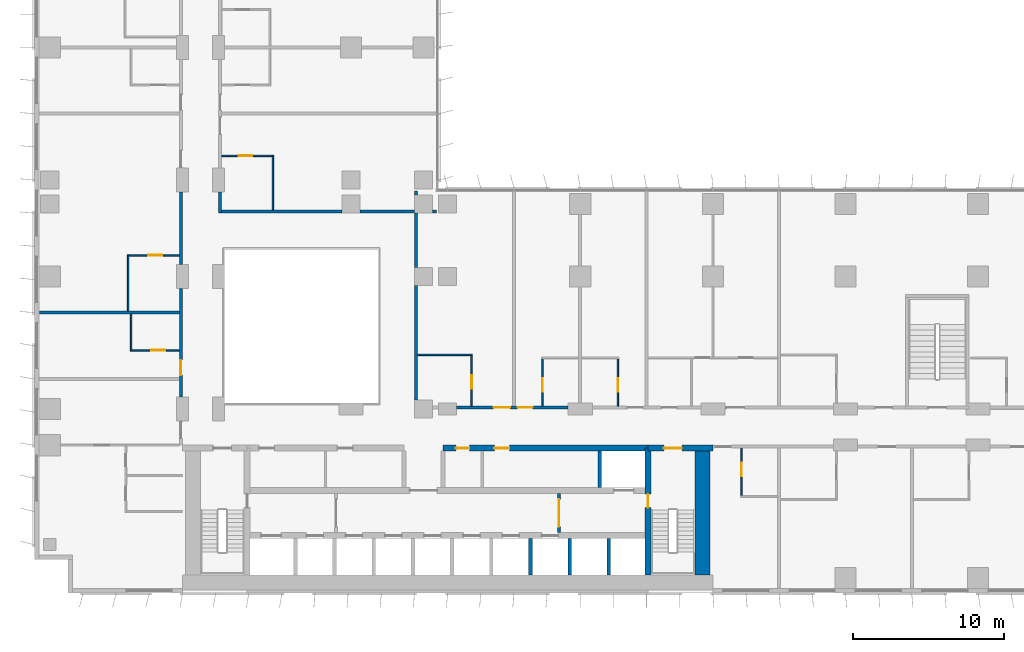
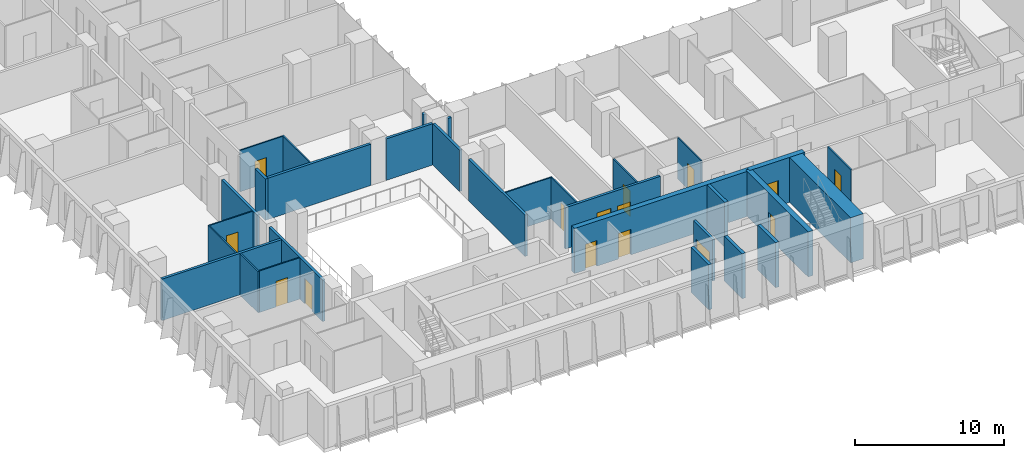
# One storey, part 13 of 24: 31 walls, 15 doors, 15 openings.
"""IFC4 building model written with IfcOpenShell, lengths in metres."""

from ifc_helpers import new_model, si_unit, direction, frame, frame_2d, origin, place, context, subcontext, project, spatial, rectangle, extrude, material, layer, layer_set, type_object, element, fill, save


model = new_model("IFC4")

# Units and contexts
model_context = context("Model", 3, precision=1e-05, world=origin(), true_north=direction((0.0, 1.0)))
body_context = subcontext(model_context, "Body", "Model", "MODEL_VIEW")
ifc_project = project(units=[si_unit("LENGTHUNIT", "METRE"), si_unit("AREAUNIT", "SQUARE_METRE"), si_unit("VOLUMEUNIT", "CUBIC_METRE"), si_unit("PLANEANGLEUNIT", "RADIAN"), si_unit("MASSUNIT", "GRAM", prefix="KILO")], contexts=[model_context])

# Site, building, storey
site_placement = place(None, origin())
site = spatial("IfcSite", under=ifc_project, at=site_placement, CompositionType="ELEMENT")
building_placement = place(site_placement, origin())
building = spatial("IfcBuilding", under=site, at=building_placement, Name="Kemantara Hotel Tower", CompositionType="ELEMENT")
storey_placement = place(building_placement, frame((0.0, 0.0, 56.199951171875)))
storey = spatial("IfcBuildingStorey", under=building, at=storey_placement, Name="L12", CompositionType="ELEMENT", Elevation=56.199951171875)

# Walls
ifc_material_1 = material(Name="Concrete fc 70 MPa", Category="concrete")
ifc_layer_1 = layer(ifc_material_1, 1.0)
ifc_layer_set_1 = layer_set([ifc_layer_1], Name="Concrete fc 70 MPa")
wall_type_1 = type_object("IfcWallType", Name="CORE WALL 1000 FC70", PredefinedType="SHEAR", material=ifc_layer_set_1)
wall_1_placement = place(storey_placement, frame((44.300048828125, 1.199951171875, 0.0), z_axis=(0.0, 0.0, 1.0), x_axis=(0.0, 1.0, 0.0)))
element("IfcWall", 1, at=wall_1_placement, inside=storey, type_object=wall_type_1, Name="CORE WALL CW-E", PredefinedType="SHEAR", context=body_context, shape_type="SweptSolid", body=[
    extrude(rectangle(XDim=8.60009765625, YDim=1.0, at=frame_2d((4.300048828125, 0.0))), origin(), (0.0, 0.0, 1.0), 3.699951171875),
])
ifc_layer_2 = layer(ifc_material_1, 0.25)
ifc_layer_set_2 = layer_set([ifc_layer_2], Name="Concrete fc 70 MPa")
wall_type_2 = type_object("IfcWallType", Name="CORE WALL 250 FC70", PredefinedType="SHEAR", material=ifc_layer_set_2)
for number, where, z_axis, x_axis, name in (
    (2, (32.89990234375, 1.199951171875, 0.0), (0.0, 0.0, 1.0), (0.0, 1.0, 0.0), "CORE WALL CW-DS32.9"),
    (3, (35.5, 1.199951171875, 0.0), (0.0, 0.0, 1.0), (0.0, 1.0, 0.0), "CORE WALL CW-DS35.5"),
    (4, (38.10009765625, 1.199951171875, 0.0), (0.0, 0.0, 1.0), (0.0, 1.0, 0.0), "CORE WALL CW-DS38.1"),
):
    element("IfcWall", number, at=place(storey_placement, frame(where, z_axis=z_axis, x_axis=x_axis)), inside=storey, type_object=wall_type_2, Name=name, PredefinedType="SHEAR", context=body_context, shape_type="SweptSolid", body=[
        extrude(rectangle(XDim=2.400146484375, YDim=0.25, at=frame_2d((1.2001953125, 0.0))), origin(), (0.0, 0.0, 1.0), 3.699951171875),
    ])
wall_2_placement = place(storey_placement, frame((37.5, 7.0, 0.0), z_axis=(0.0, 0.0, 1.0), x_axis=(0.0, 1.0, 0.0)))
element("IfcWall", 5, at=wall_2_placement, inside=storey, type_object=wall_type_2, Name="CORE WALL CW-DN37.5", PredefinedType="SHEAR", context=body_context, shape_type="SweptSolid", body=[
    extrude(rectangle(XDim=2.39990234375, YDim=0.25, at=frame_2d((1.199951171875, 0.0))), origin(), (0.0, 0.0, 1.0), 3.699951171875),
])

# Wall, opening, door
ifc_layer_3 = layer(ifc_material_1, 0.39990234375)
ifc_layer_set_3 = layer_set([ifc_layer_3], Name="Concrete fc 70 MPa")
wall_type_3 = type_object("IfcWallType", Name="CORE WALL 400 FC70", PredefinedType="SHEAR", material=ifc_layer_set_3)
wall_3_placement = place(storey_placement, frame((40.699951171875, 9.60009765625, 0.0), z_axis=(0.0, 0.0, 1.0), x_axis=(1.0, 0.0, 0.0)))
wall_3 = element("IfcWall", 6, at=wall_3_placement, inside=storey, type_object=wall_type_3, Name="CORE WALL CW-N2", PredefinedType="SHEAR", context=body_context, shape_type="SweptSolid", body=[
    extrude(rectangle(XDim=4.300048828125, YDim=0.39990234375, at=frame_2d((2.14990234375, 0.0))), origin(), (0.0, 0.0, 1.0), 3.699951171875),
])
opening_1_placement = place(wall_3_placement, frame((1.050048828125, 0.0, 0.0)))
opening_1 = element("IfcOpeningElement", 7, at=opening_1_placement, cuts=wall_3, Name="Opening C10-ST2-C", PredefinedType="OPENING", context=body_context, shape_type="SweptSolid", body=[
    extrude(rectangle(XDim=1.199951171875, YDim=2.10009765625, at=frame_2d((0.60009765625, 1.050048828125))), frame((0.0, 0.2099609375, 0.0), z_axis=(0.0, -1.0, 0.0), x_axis=(1.0, 0.0, 0.0)), (0.0, 0.0, 1.0), 0.419921875),
])
ifc_material_2 = material(Name="Steel fire door", Category="steel")
door_type_1 = type_object("IfcDoorType", Name="Fire door FD90 1200 x 2100", OperationType="NOTDEFINED", PredefinedType="DOOR", material=ifc_material_2)
door_1_placement = place(opening_1_placement, frame((1.199951171875, 0.0, 0.0), z_axis=(0.0, 0.0, 1.0), x_axis=(-1.0, 0.0, 0.0)))
door_1 = element("IfcDoor", 8, at=door_1_placement, inside=storey, type_object=door_type_1, Name="Stair ST2 door to corridor", OperationType="SINGLE_SWING_RIGHT", OverallHeight=2.10009765625, OverallWidth=1.199951171875, PredefinedType="DOOR", context=body_context, shape_type="SweptSolid", body=[
    extrude(rectangle(XDim=1.199951171875, YDim=2.10009765625, at=frame_2d((0.60009765625, 1.050048828125))), frame((0.0, 0.02490234375, 0.0), z_axis=(0.0, -1.0, 0.0), x_axis=(1.0, 0.0, 0.0)), (0.0, 0.0, 1.0), 0.050048828125),
])
fill(opening_1, door_1)

# Wall, openings, doors
wall_4_placement = place(storey_placement, frame((27.10009765625, 9.60009765625, 0.0), z_axis=(0.0, 0.0, 1.0), x_axis=(1.0, 0.0, 0.0)))
wall_4 = element("IfcWall", 9, at=wall_4_placement, inside=storey, type_object=wall_type_3, Name="CORE WALL CW-NN2", PredefinedType="SHEAR", context=body_context, shape_type="SweptSolid", body=[
    extrude(rectangle(XDim=13.599853515625, YDim=0.39990234375, at=frame_2d((6.7998046875, 0.0))), origin(), (0.0, 0.0, 1.0), 3.699951171875),
])
opening_2_placement = place(wall_4_placement, frame((0.85009765625, 0.0, 0.0)))
opening_2 = element("IfcOpeningElement", 10, at=opening_2_placement, cuts=wall_4, Name="Opening C10-R-NE1", PredefinedType="OPENING", context=body_context, shape_type="SweptSolid", body=[
    extrude(rectangle(XDim=0.89990234375, YDim=2.10009765625, at=frame_2d((0.449951171875, 1.050048828125))), frame((0.0, 0.2099609375, 0.0), z_axis=(0.0, -1.0, 0.0), x_axis=(1.0, 0.0, 0.0)), (0.0, 0.0, 1.0), 0.419921875),
])
opening_3_placement = place(wall_4_placement, frame((3.39990234375, 0.0, 0.0)))
opening_3 = element("IfcOpeningElement", 11, at=opening_3_placement, cuts=wall_4, Name="Opening C10-R-NE2", PredefinedType="OPENING", context=body_context, shape_type="SweptSolid", body=[
    extrude(rectangle(XDim=1.0, YDim=2.10009765625, at=frame_2d((0.5, 1.050048828125))), frame((0.0, 0.2099609375, 0.0), z_axis=(0.0, -1.0, 0.0), x_axis=(1.0, 0.0, 0.0)), (0.0, 0.0, 1.0), 0.419921875),
])
door_type_2 = type_object("IfcDoorType", Name="Fire door FD30S 1000 x 2100", OperationType="NOTDEFINED", PredefinedType="DOOR", material=ifc_material_2)
door_2_placement = place(opening_3_placement, frame((1.0, 0.0, 0.0), z_axis=(0.0, 0.0, 1.0), x_axis=(-1.0, 0.0, 0.0)))
door_2 = element("IfcDoor", 12, at=door_2_placement, inside=storey, type_object=door_type_2, Name="Guest Pantry door", OperationType="SINGLE_SWING_RIGHT", OverallHeight=2.10009765625, OverallWidth=1.0, PredefinedType="DOOR", context=body_context, shape_type="SweptSolid", body=[
    extrude(rectangle(XDim=1.0, YDim=2.10009765625, at=frame_2d((0.5, 1.050048828125))), frame((0.0, 0.02490234375, 0.0), z_axis=(0.0, -1.0, 0.0), x_axis=(1.0, 0.0, 0.0)), (0.0, 0.0, 1.0), 0.050048828125),
])
fill(opening_3, door_2)
door_type_3 = type_object("IfcDoorType", Name="Fire door FD60 900 x 2100", OperationType="NOTDEFINED", PredefinedType="DOOR", material=ifc_material_2)
door_3_placement = place(opening_2_placement, frame((0.89990234375, 0.0, 0.0), z_axis=(0.0, 0.0, 1.0), x_axis=(-1.0, 0.0, 0.0)))
door_3 = element("IfcDoor", 13, at=door_3_placement, inside=storey, type_object=door_type_3, Name="Electrical Riser Room door", OperationType="SINGLE_SWING_RIGHT", OverallHeight=2.10009765625, OverallWidth=0.89990234375, PredefinedType="DOOR", context=body_context, shape_type="SweptSolid", body=[
    extrude(rectangle(XDim=0.89990234375, YDim=2.10009765625, at=frame_2d((0.449951171875, 1.050048828125))), frame((0.0, 0.02490234375, 0.0), z_axis=(0.0, -1.0, 0.0), x_axis=(1.0, 0.0, 0.0)), (0.0, 0.0, 1.0), 0.050048828125),
])
fill(opening_2, door_3)

# Wall, opening, door
wall_5_placement = place(storey_placement, frame((40.699951171875, 1.199951171875, 0.0), z_axis=(0.0, 0.0, 1.0), x_axis=(0.0, 1.0, 0.0)))
wall_5 = element("IfcWall", 14, at=wall_5_placement, inside=storey, type_object=wall_type_3, Name="CORE WALL CW-ST2W", PredefinedType="SHEAR", context=body_context, shape_type="SweptSolid", body=[
    extrude(rectangle(XDim=8.400146484375, YDim=0.39990234375, at=frame_2d((4.2001953125, 0.0))), origin(), (0.0, 0.0, 1.0), 3.699951171875),
])
opening_4_placement = place(wall_5_placement, frame((4.449951171875, 0.0, 0.0)))
opening_4 = element("IfcOpeningElement", 15, at=opening_4_placement, cuts=wall_5, Name="Opening C10-ST2-F", PredefinedType="OPENING", context=body_context, shape_type="SweptSolid", body=[
    extrude(rectangle(XDim=0.89990234375, YDim=2.10009765625, at=frame_2d((0.449951171875, 1.050048828125))), frame((0.0, 0.2099609375, 0.0), z_axis=(0.0, -1.0, 0.0), x_axis=(1.0, 0.0, 0.0)), (0.0, 0.0, 1.0), 0.419921875),
])
door_type_4 = type_object("IfcDoorType", Name="Fire door FD90 900 x 2100", OperationType="NOTDEFINED", PredefinedType="DOOR", material=ifc_material_2)
door_4_placement = place(opening_4_placement, frame((0.89990234375, 0.0, 0.0), z_axis=(0.0, 0.0, 1.0), x_axis=(-1.0, 0.0, 0.0)))
door_4 = element("IfcDoor", 16, at=door_4_placement, inside=storey, type_object=door_type_4, Name="Stair ST2 door to firefighting lobby", OperationType="SINGLE_SWING_LEFT", OverallHeight=2.10009765625, OverallWidth=0.89990234375, PredefinedType="DOOR", context=body_context, shape_type="SweptSolid", body=[
    extrude(rectangle(XDim=0.89990234375, YDim=2.10009765625, at=frame_2d((0.449951171875, 1.050048828125))), frame((0.0, 0.02490234375, 0.0), z_axis=(0.0, -1.0, 0.0), x_axis=(1.0, 0.0, 0.0)), (0.0, 0.0, 1.0), 0.050048828125),
])
fill(opening_4, door_4)

# Wall, openings, doors
ifc_material_3 = material(Name="Gypsum board partition, steel studs and mineral wool, 200 mm", Category="steel")
ifc_layer_4 = layer(ifc_material_3, 0.199951171875)
ifc_layer_set_4 = layer_set([ifc_layer_4], Name="Gypsum board partition, steel studs and mineral wool, 200 mm")
wall_type_4 = type_object("IfcWallType", Name="CORRIDOR WALL 200", PredefinedType="PARTITIONING", material=ifc_layer_set_4)
wall_6_placement = place(storey_placement, frame((28.0, 12.300048828125, 0.0), z_axis=(0.0, 0.0, 1.0), x_axis=(1.0, 0.0, 0.0)))
wall_6 = element("IfcWall", 17, at=wall_6_placement, inside=storey, type_object=wall_type_4, Name="CORRIDOR WALL 200 012", PredefinedType="PARTITIONING", context=body_context, shape_type="SweptSolid", body=[
    extrude(rectangle(XDim=7.39990234375, YDim=0.199951171875, at=frame_2d((3.699951171875, 0.0))), origin(), (0.0, 0.0, 1.0), 3.400146484375),
])
opening_5_placement = place(wall_6_placement, frame((2.449951171875, 0.0, 0.0)))
opening_5 = element("IfcOpeningElement", 18, at=opening_5_placement, cuts=wall_6, Name="Opening F04-011", PredefinedType="OPENING", context=body_context, shape_type="SweptSolid", body=[
    extrude(rectangle(XDim=1.10009765625, YDim=2.10009765625, at=frame_2d((0.550048828125, 1.050048828125))), frame((0.0, 0.10986328125, 0.0), z_axis=(0.0, -1.0, 0.0), x_axis=(1.0, 0.0, 0.0)), (0.0, 0.0, 1.0), 0.219970703125),
])
opening_6_placement = place(wall_6_placement, frame((4.0498046875, 0.0, 0.0)))
opening_6 = element("IfcOpeningElement", 19, at=opening_6_placement, cuts=wall_6, Name="Opening F04-013", PredefinedType="OPENING", context=body_context, shape_type="SweptSolid", body=[
    extrude(rectangle(XDim=1.0, YDim=2.10009765625, at=frame_2d((0.5, 1.050048828125))), frame((0.0, 0.10986328125, 0.0), z_axis=(0.0, -1.0, 0.0), x_axis=(1.0, 0.0, 0.0)), (0.0, 0.0, 1.0), 0.219970703125),
])
ifc_material_4 = material(Name="Hardwood veneer door leaf with steel frame", Category="steel")
door_type_5 = type_object("IfcDoorType", Name="GUEST ROOM DOOR 1000 X 2100 FD30S", OperationType="NOTDEFINED", PredefinedType="DOOR", material=ifc_material_4)
door_5_placement = place(opening_6_placement, origin())
door_5 = element("IfcDoor", 20, at=door_5_placement, inside=storey, type_object=door_type_5, Name="GUEST ROOM DOOR F04-013", OperationType="SINGLE_SWING_LEFT", OverallHeight=2.10009765625, OverallWidth=1.0, PredefinedType="DOOR", context=body_context, shape_type="SweptSolid", body=[
    extrude(rectangle(XDim=1.0, YDim=2.10009765625, at=frame_2d((0.5, 1.050048828125))), frame((0.0, 0.02490234375, 0.0), z_axis=(0.0, -1.0, 0.0), x_axis=(1.0, 0.0, 0.0)), (0.0, 0.0, 1.0), 0.050048828125),
])
fill(opening_6, door_5)
door_type_6 = type_object("IfcDoorType", Name="SUITE ENTRANCE DOOR 1100 X 2100 FD30S", OperationType="NOTDEFINED", PredefinedType="DOOR", material=ifc_material_4)
door_6_placement = place(opening_5_placement, origin())
door_6 = element("IfcDoor", 21, at=door_6_placement, inside=storey, type_object=door_type_6, Name="SUITE ENTRANCE DOOR F04-011", OperationType="SINGLE_SWING_RIGHT", OverallHeight=2.10009765625, OverallWidth=1.10009765625, PredefinedType="DOOR", context=body_context, shape_type="SweptSolid", body=[
    extrude(rectangle(XDim=1.10009765625, YDim=2.10009765625, at=frame_2d((0.550048828125, 1.050048828125))), frame((0.0, 0.02490234375, 0.0), z_axis=(0.0, -1.0, 0.0), x_axis=(1.0, 0.0, 0.0)), (0.0, 0.0, 1.0), 0.050048828125),
])
fill(opening_5, door_6)

# Wall, opening, door
wall_7_placement = place(storey_placement, frame((9.699951171875, 13.0, 0.0), z_axis=(0.0, 0.0, 1.0), x_axis=(0.0, 1.0, 0.0)))
wall_7 = element("IfcWall", 22, at=wall_7_placement, inside=storey, type_object=wall_type_4, Name="CORRIDOR WALL 200 026", PredefinedType="PARTITIONING", context=body_context, shape_type="SweptSolid", body=[
    extrude(rectangle(XDim=7.199951171875, YDim=0.199951171875, at=frame_2d((3.60009765625, 0.0))), origin(), (0.0, 0.0, 1.0), 3.400146484375),
])
opening_7_placement = place(wall_7_placement, frame((1.449951171875, 0.0, 0.0)))
opening_7 = element("IfcOpeningElement", 23, at=opening_7_placement, cuts=wall_7, Name="Opening F04-033", PredefinedType="OPENING", context=body_context, shape_type="SweptSolid", body=[
    extrude(rectangle(XDim=1.0, YDim=2.10009765625, at=frame_2d((0.5, 1.050048828125))), frame((0.0, 0.10986328125, 0.0), z_axis=(0.0, -1.0, 0.0), x_axis=(1.0, 0.0, 0.0)), (0.0, 0.0, 1.0), 0.219970703125),
])
door_7_placement = place(opening_7_placement, origin())
door_7 = element("IfcDoor", 24, at=door_7_placement, inside=storey, type_object=door_type_5, Name="GUEST ROOM DOOR F04-033", OperationType="SINGLE_SWING_LEFT", OverallHeight=2.10009765625, OverallWidth=1.0, PredefinedType="DOOR", context=body_context, shape_type="SweptSolid", body=[
    extrude(rectangle(XDim=1.0, YDim=2.10009765625, at=frame_2d((0.5, 1.050048828125))), frame((0.0, 0.02490234375, 0.0), z_axis=(0.0, -1.0, 0.0), x_axis=(1.0, 0.0, 0.0)), (0.0, 0.0, 1.0), 0.050048828125),
])
fill(opening_7, door_7)

# Walls
wall_8_placement = place(storey_placement, frame((9.699951171875, 21.800048828125, 0.0), z_axis=(0.0, 0.0, 1.0), x_axis=(0.0, 1.0, 0.0)))
element("IfcWall", 25, at=wall_8_placement, inside=storey, type_object=wall_type_4, Name="CORRIDOR WALL 200 027", PredefinedType="PARTITIONING", context=body_context, shape_type="SweptSolid", body=[
    extrude(rectangle(XDim=4.7998046875, YDim=0.199951171875, at=frame_2d((2.39990234375, 0.0))), origin(), (0.0, 0.0, 1.0), 3.400146484375),
])
wall_9_placement = place(storey_placement, frame((12.300048828125, 25.199951171875, 0.0), z_axis=(0.0, 0.0, 1.0), x_axis=(0.0, 1.0, 0.0)))
element("IfcWall", 26, at=wall_9_placement, inside=storey, type_object=wall_type_4, Name="CORRIDOR WALL 200 047", PredefinedType="PARTITIONING", context=body_context, shape_type="SweptSolid", body=[
    extrude(rectangle(XDim=1.39990234375, YDim=0.199951171875, at=frame_2d((0.699951171875, 0.0))), origin(), (0.0, 0.0, 1.0), 3.400146484375),
])
ifc_layer_5 = layer(ifc_material_3, 0.199951171875)
ifc_layer_set_5 = layer_set([ifc_layer_5], Name="Gypsum board partition, steel studs and mineral wool, 200 mm")
wall_type_5 = type_object("IfcWallType", Name="GUEST ROOM PARTY WALL 200", PredefinedType="PARTITIONING", material=ifc_layer_set_5)
wall_10_placement = place(storey_placement, frame((25.300048828125, 12.800048828125, 0.0), z_axis=(0.0, 0.0, 1.0), x_axis=(0.0, 1.0, 0.0)))
element("IfcWall", 27, at=wall_10_placement, inside=storey, type_object=wall_type_5, Name="GUEST ROOM PARTY WALL 200 018", PredefinedType="PARTITIONING", context=body_context, shape_type="SweptSolid", body=[
    extrude(rectangle(XDim=7.599853515625, YDim=0.199951171875, at=frame_2d((3.7998046875, 0.0))), origin(), (0.0, 0.0, 1.0), 3.400146484375),
])
wall_11_placement = place(storey_placement, frame((25.300048828125, 21.60009765625, 0.0), z_axis=(0.0, 0.0, 1.0), x_axis=(0.0, 1.0, 0.0)))
element("IfcWall", 28, at=wall_11_placement, inside=storey, type_object=wall_type_5, Name="GUEST ROOM PARTY WALL 200 019", PredefinedType="PARTITIONING", context=body_context, shape_type="SweptSolid", body=[
    extrude(rectangle(XDim=3.599853515625, YDim=0.199951171875, at=frame_2d((1.7998046875, 0.0))), origin(), (0.0, 0.0, 1.0), 3.400146484375),
])
wall_12_placement = place(storey_placement, frame((25.300048828125, 26.400146484375, 0.0), z_axis=(0.0, 0.0, 1.0), x_axis=(0.0, 1.0, 0.0)))
element("IfcWall", 29, at=wall_12_placement, inside=storey, type_object=wall_type_5, Name="GUEST ROOM PARTY WALL 200 020", PredefinedType="PARTITIONING", context=body_context, shape_type="SweptSolid", body=[
    extrude(rectangle(XDim=0.269775390625, YDim=0.199951171875, at=frame_2d((0.134765625, 0.0))), origin(), (0.0, 0.0, 1.0), 3.400146484375),
])
wall_13_placement = place(storey_placement, frame((0.31005859375, 18.60009765625, 0.0), z_axis=(0.0, 0.0, 1.0), x_axis=(1.0, 0.0, 0.0)))
element("IfcWall", 30, at=wall_13_placement, inside=storey, type_object=wall_type_5, Name="GUEST ROOM PARTY WALL 200 035", PredefinedType="PARTITIONING", context=body_context, shape_type="SweptSolid", body=[
    extrude(rectangle(XDim=9.2900390625, YDim=0.199951171875, at=frame_2d((4.64501953125, 0.0))), origin(), (0.0, 0.0, 1.0), 3.400146484375),
])
wall_14_placement = place(storey_placement, frame((12.39990234375, 25.300048828125, 0.0), z_axis=(0.0, 0.0, 1.0), x_axis=(1.0, 0.0, 0.0)))
element("IfcWall", 31, at=wall_14_placement, inside=storey, type_object=wall_type_5, Name="GUEST ROOM PARTY WALL 200 054", PredefinedType="PARTITIONING", context=body_context, shape_type="SweptSolid", body=[
    extrude(rectangle(XDim=8.0, YDim=0.199951171875, at=frame_2d((4.0, 0.0))), origin(), (0.0, 0.0, 1.0), 3.400146484375),
])
wall_15_placement = place(storey_placement, frame((21.60009765625, 25.300048828125, 0.0), z_axis=(0.0, 0.0, 1.0), x_axis=(1.0, 0.0, 0.0)))
element("IfcWall", 32, at=wall_15_placement, inside=storey, type_object=wall_type_5, Name="GUEST ROOM PARTY WALL 200 055", PredefinedType="PARTITIONING", context=body_context, shape_type="SweptSolid", body=[
    extrude(rectangle(XDim=3.599853515625, YDim=0.199951171875, at=frame_2d((1.7998046875, 0.0))), origin(), (0.0, 0.0, 1.0), 3.400146484375),
])
wall_16_placement = place(storey_placement, frame((26.400146484375, 25.300048828125, 0.0), z_axis=(0.0, 0.0, 1.0), x_axis=(1.0, 0.0, 0.0)))
element("IfcWall", 33, at=wall_16_placement, inside=storey, type_object=wall_type_5, Name="GUEST ROOM PARTY WALL 200 056", PredefinedType="PARTITIONING", context=body_context, shape_type="SweptSolid", body=[
    extrude(rectangle(XDim=0.269775390625, YDim=0.199951171875, at=frame_2d((0.134765625, 0.0))), origin(), (0.0, 0.0, 1.0), 3.400146484375),
])

# Wall, opening, door
ifc_material_5 = material(Name="Gypsum board shaft wall")
ifc_layer_6 = layer(ifc_material_5, 0.199951171875)
ifc_layer_set_6 = layer_set([ifc_layer_6], Name="Gypsum board shaft wall")
wall_type_6 = type_object("IfcWallType", Name="Gypsum board shaft wall 200 mm", PredefinedType="PARTITIONING", material=ifc_layer_set_6)
wall_17_placement = place(storey_placement, frame((34.800048828125, 4.0, 0.0), z_axis=(0.0, 0.0, 1.0), x_axis=(0.0, 1.0, 0.0)))
wall_17 = element("IfcWall", 34, at=wall_17_placement, inside=storey, type_object=wall_type_6, Name="Firefighting lobby partition east", PredefinedType="PARTITIONING", context=body_context, shape_type="SweptSolid", body=[
    extrude(rectangle(XDim=2.60009765625, YDim=0.199951171875, at=frame_2d((1.300048828125, 0.0))), origin(), (0.0, 0.0, 1.0), 3.400146484375),
])
opening_8_placement = place(wall_17_placement, frame((0.39990234375, 0.0, 0.0)))
opening_8 = element("IfcOpeningElement", 35, at=opening_8_placement, cuts=wall_17, Name="Opening C10-FFE", PredefinedType="OPENING", context=body_context, shape_type="SweptSolid", body=[
    extrude(rectangle(XDim=1.800048828125, YDim=2.10009765625, at=frame_2d((0.89990234375, 1.050048828125))), frame((0.0, 0.10986328125, 0.0), z_axis=(0.0, -1.0, 0.0), x_axis=(1.0, 0.0, 0.0)), (0.0, 0.0, 1.0), 0.219970703125),
])
door_type_7 = type_object("IfcDoorType", Name="Fire door pair FD60 1800 x 2100", OperationType="DOUBLE_DOOR_SINGLE_SWING", PredefinedType="DOOR", material=ifc_material_2)
door_8_placement = place(opening_8_placement, frame((1.800048828125, 0.0, 0.0), z_axis=(0.0, 0.0, 1.0), x_axis=(-1.0, 0.0, 0.0)))
door_8 = element("IfcDoor", 36, at=door_8_placement, inside=storey, type_object=door_type_7, Name="Firefighting lobby door east", OperationType="DOUBLE_DOOR_SINGLE_SWING", OverallHeight=2.10009765625, OverallWidth=1.800048828125, PredefinedType="DOOR", context=body_context, shape_type="SweptSolid", body=[
    extrude(rectangle(XDim=1.800048828125, YDim=2.10009765625, at=frame_2d((0.89990234375, 1.050048828125))), frame((0.0, 0.02490234375, 0.0), z_axis=(0.0, -1.0, 0.0), x_axis=(1.0, 0.0, 0.0)), (0.0, 0.0, 1.0), 0.050048828125),
])
fill(opening_8, door_8)

ifc_material_6 = material(Name="Gypsum board partition on steel studs, 100 mm", Category="steel")
ifc_layer_7 = layer(ifc_material_6, 0.10009765625)
ifc_layer_set_7 = layer_set([ifc_layer_7], Name="Gypsum board partition on steel studs, 100 mm")
wall_type_7 = type_object("IfcWallType", Name="ROOM PARTITION 100", PredefinedType="PARTITIONING", material=ifc_layer_set_7)
wall_18_placement = place(storey_placement, frame((46.89990234375, 9.60009765625, 0.0), z_axis=(0.0, 0.0, 1.0), x_axis=(0.0, -1.0, 0.0)))
wall_18 = element("IfcWall", 37, at=wall_18_placement, inside=storey, type_object=wall_type_7, Name="ROOM PARTITION 100 067", PredefinedType="PARTITIONING", context=body_context, shape_type="SweptSolid", body=[
    extrude(rectangle(XDim=3.150146484375, YDim=0.10009765625, at=frame_2d((1.5751953125, 0.0))), origin(), (0.0, 0.0, 1.0), 3.400146484375),
])
opening_9_placement = place(wall_18_placement, frame((0.949951171875, 0.0, 0.0)))
opening_9 = element("IfcOpeningElement", 38, at=opening_9_placement, cuts=wall_18, Name="Opening F04-002", PredefinedType="OPENING", context=body_context, shape_type="SweptSolid", body=[
    extrude(rectangle(XDim=0.89990234375, YDim=2.10009765625, at=frame_2d((0.449951171875, 1.050048828125))), frame((0.0, 0.06005859375, 0.0), z_axis=(0.0, -1.0, 0.0), x_axis=(1.0, 0.0, 0.0)), (0.0, 0.0, 1.0), 0.1201171875),
])
door_type_8 = type_object("IfcDoorType", Name="BATHROOM DOOR 900 X 2100", OperationType="NOTDEFINED", PredefinedType="DOOR", material=ifc_material_4)
door_9_placement = place(opening_9_placement, origin())
door_9 = element("IfcDoor", 39, at=door_9_placement, inside=storey, type_object=door_type_8, Name="BATHROOM DOOR F04-002", OperationType="SINGLE_SWING_LEFT", OverallHeight=2.10009765625, OverallWidth=0.89990234375, PredefinedType="DOOR", context=body_context, shape_type="SweptSolid", body=[
    extrude(rectangle(XDim=0.89990234375, YDim=2.10009765625, at=frame_2d((0.449951171875, 1.050048828125))), frame((0.0, 0.02490234375, 0.0), z_axis=(0.0, -1.0, 0.0), x_axis=(1.0, 0.0, 0.0)), (0.0, 0.0, 1.0), 0.050048828125),
])
fill(opening_9, door_9)

# Wall
wall_19_placement = place(storey_placement, frame((25.39990234375, 15.800048828125, 0.0), z_axis=(0.0, 0.0, 1.0), x_axis=(1.0, 0.0, 0.0)))
element("IfcWall", 40, at=wall_19_placement, inside=storey, type_object=wall_type_7, Name="ROOM PARTITION 100 077", PredefinedType="PARTITIONING", context=body_context, shape_type="SweptSolid", body=[
    extrude(rectangle(XDim=3.650146484375, YDim=0.10009765625, at=frame_2d((1.8251953125, 0.0))), origin(), (0.0, 0.0, 1.0), 3.400146484375),
])

# Wall, opening, door
wall_20_placement = place(storey_placement, frame((29.0, 12.39990234375, 0.0), z_axis=(0.0, 0.0, 1.0), x_axis=(0.0, 1.0, 0.0)))
wall_20 = element("IfcWall", 41, at=wall_20_placement, inside=storey, type_object=wall_type_7, Name="ROOM PARTITION 100 079", PredefinedType="PARTITIONING", context=body_context, shape_type="SweptSolid", body=[
    extrude(rectangle(XDim=3.35009765625, YDim=0.10009765625, at=frame_2d((1.675048828125, 0.0))), origin(), (0.0, 0.0, 1.0), 3.400146484375),
])
opening_10_placement = place(wall_20_placement, frame((1.14990234375, 0.0, 0.0)))
opening_10 = element("IfcOpeningElement", 42, at=opening_10_placement, cuts=wall_20, Name="Opening F04-012", PredefinedType="OPENING", context=body_context, shape_type="SweptSolid", body=[
    extrude(rectangle(XDim=0.89990234375, YDim=2.10009765625, at=frame_2d((0.449951171875, 1.050048828125))), frame((0.0, 0.06005859375, 0.0), z_axis=(0.0, -1.0, 0.0), x_axis=(1.0, 0.0, 0.0)), (0.0, 0.0, 1.0), 0.1201171875),
])
door_10_placement = place(opening_10_placement, origin())
door_10 = element("IfcDoor", 43, at=door_10_placement, inside=storey, type_object=door_type_8, Name="BATHROOM DOOR F04-012", OperationType="SINGLE_SWING_LEFT", OverallHeight=2.10009765625, OverallWidth=0.89990234375, PredefinedType="DOOR", context=body_context, shape_type="SweptSolid", body=[
    extrude(rectangle(XDim=0.89990234375, YDim=2.10009765625, at=frame_2d((0.449951171875, 1.050048828125))), frame((0.0, 0.02490234375, 0.0), z_axis=(0.0, -1.0, 0.0), x_axis=(1.0, 0.0, 0.0)), (0.0, 0.0, 1.0), 0.050048828125),
])
fill(opening_10, door_10)

wall_21_placement = place(storey_placement, frame((33.699951171875, 15.550048828125, 0.0), z_axis=(0.0, 0.0, 1.0), x_axis=(0.0, -1.0, 0.0)))
wall_21 = element("IfcWall", 44, at=wall_21_placement, inside=storey, type_object=wall_type_7, Name="ROOM PARTITION 100 085", PredefinedType="PARTITIONING", context=body_context, shape_type="SweptSolid", body=[
    extrude(rectangle(XDim=3.150146484375, YDim=0.10009765625, at=frame_2d((1.5751953125, 0.0))), origin(), (0.0, 0.0, 1.0), 3.400146484375),
])
opening_11_placement = place(wall_21_placement, frame((1.300048828125, 0.0, 0.0)))
opening_11 = element("IfcOpeningElement", 45, at=opening_11_placement, cuts=wall_21, Name="Opening F04-014", PredefinedType="OPENING", context=body_context, shape_type="SweptSolid", body=[
    extrude(rectangle(XDim=0.89990234375, YDim=2.10009765625, at=frame_2d((0.449951171875, 1.050048828125))), frame((0.0, 0.06005859375, 0.0), z_axis=(0.0, -1.0, 0.0), x_axis=(1.0, 0.0, 0.0)), (0.0, 0.0, 1.0), 0.1201171875),
])
door_11_placement = place(opening_11_placement, origin())
door_11 = element("IfcDoor", 46, at=door_11_placement, inside=storey, type_object=door_type_8, Name="BATHROOM DOOR F04-014", OperationType="SINGLE_SWING_RIGHT", OverallHeight=2.10009765625, OverallWidth=0.89990234375, PredefinedType="DOOR", context=body_context, shape_type="SweptSolid", body=[
    extrude(rectangle(XDim=0.89990234375, YDim=2.10009765625, at=frame_2d((0.449951171875, 1.050048828125))), frame((0.0, 0.02490234375, 0.0), z_axis=(0.0, -1.0, 0.0), x_axis=(1.0, 0.0, 0.0)), (0.0, 0.0, 1.0), 0.050048828125),
])
fill(opening_11, door_11)

wall_22_placement = place(storey_placement, frame((38.699951171875, 12.39990234375, 0.0), z_axis=(0.0, 0.0, 1.0), x_axis=(0.0, 1.0, 0.0)))
wall_22 = element("IfcWall", 47, at=wall_22_placement, inside=storey, type_object=wall_type_7, Name="ROOM PARTITION 100 086", PredefinedType="PARTITIONING", context=body_context, shape_type="SweptSolid", body=[
    extrude(rectangle(XDim=3.150146484375, YDim=0.10009765625, at=frame_2d((1.5751953125, 0.0))), origin(), (0.0, 0.0, 1.0), 3.400146484375),
])
opening_12_placement = place(wall_22_placement, frame((0.949951171875, 0.0, 0.0)))
opening_12 = element("IfcOpeningElement", 48, at=opening_12_placement, cuts=wall_22, Name="Opening F04-016", PredefinedType="OPENING", context=body_context, shape_type="SweptSolid", body=[
    extrude(rectangle(XDim=0.89990234375, YDim=2.10009765625, at=frame_2d((0.449951171875, 1.050048828125))), frame((0.0, 0.06005859375, 0.0), z_axis=(0.0, -1.0, 0.0), x_axis=(1.0, 0.0, 0.0)), (0.0, 0.0, 1.0), 0.1201171875),
])
door_12_placement = place(opening_12_placement, origin())
door_12 = element("IfcDoor", 49, at=door_12_placement, inside=storey, type_object=door_type_8, Name="BATHROOM DOOR F04-016", OperationType="SINGLE_SWING_LEFT", OverallHeight=2.10009765625, OverallWidth=0.89990234375, PredefinedType="DOOR", context=body_context, shape_type="SweptSolid", body=[
    extrude(rectangle(XDim=0.89990234375, YDim=2.10009765625, at=frame_2d((0.449951171875, 1.050048828125))), frame((0.0, 0.02490234375, 0.0), z_axis=(0.0, -1.0, 0.0), x_axis=(1.0, 0.0, 0.0)), (0.0, 0.0, 1.0), 0.050048828125),
])
fill(opening_12, door_12)

# Wall
wall_23_placement = place(storey_placement, frame((6.39990234375, 16.050048828125, 0.0), z_axis=(0.0, 0.0, 1.0), x_axis=(0.0, 1.0, 0.0)))
element("IfcWall", 50, at=wall_23_placement, inside=storey, type_object=wall_type_7, Name="ROOM PARTITION 100 099", PredefinedType="PARTITIONING", context=body_context, shape_type="SweptSolid", body=[
    extrude(rectangle(XDim=2.449951171875, YDim=0.10009765625, at=frame_2d((1.22509765625, 0.0))), origin(), (0.0, 0.0, 1.0), 3.400146484375),
])

# Wall, opening, door
wall_24_placement = place(storey_placement, frame((6.449951171875, 16.10009765625, 0.0), z_axis=(0.0, 0.0, 1.0), x_axis=(1.0, 0.0, 0.0)))
wall_24 = element("IfcWall", 51, at=wall_24_placement, inside=storey, type_object=wall_type_7, Name="ROOM PARTITION 100 102", PredefinedType="PARTITIONING", context=body_context, shape_type="SweptSolid", body=[
    extrude(rectangle(XDim=3.150146484375, YDim=0.10009765625, at=frame_2d((1.5751953125, 0.0))), origin(), (0.0, 0.0, 1.0), 3.400146484375),
])
opening_13_placement = place(wall_24_placement, frame((1.300048828125, 0.0, 0.0)))
opening_13 = element("IfcOpeningElement", 52, at=opening_13_placement, cuts=wall_24, Name="Opening F04-034", PredefinedType="OPENING", context=body_context, shape_type="SweptSolid", body=[
    extrude(rectangle(XDim=0.89990234375, YDim=2.10009765625, at=frame_2d((0.449951171875, 1.050048828125))), frame((0.0, 0.06005859375, 0.0), z_axis=(0.0, -1.0, 0.0), x_axis=(1.0, 0.0, 0.0)), (0.0, 0.0, 1.0), 0.1201171875),
])
door_13_placement = place(opening_13_placement, origin())
door_13 = element("IfcDoor", 53, at=door_13_placement, inside=storey, type_object=door_type_8, Name="BATHROOM DOOR F04-034", OperationType="SINGLE_SWING_RIGHT", OverallHeight=2.10009765625, OverallWidth=0.89990234375, PredefinedType="DOOR", context=body_context, shape_type="SweptSolid", body=[
    extrude(rectangle(XDim=0.89990234375, YDim=2.10009765625, at=frame_2d((0.449951171875, 1.050048828125))), frame((0.0, 0.02490234375, 0.0), z_axis=(0.0, -1.0, 0.0), x_axis=(1.0, 0.0, 0.0)), (0.0, 0.0, 1.0), 0.050048828125),
])
fill(opening_13, door_13)

# Wall
wall_25_placement = place(storey_placement, frame((6.199951171875, 18.699951171875, 0.0), z_axis=(0.0, 0.0, 1.0), x_axis=(0.0, 1.0, 0.0)))
element("IfcWall", 54, at=wall_25_placement, inside=storey, type_object=wall_type_7, Name="ROOM PARTITION 100 103", PredefinedType="PARTITIONING", context=body_context, shape_type="SweptSolid", body=[
    extrude(rectangle(XDim=3.75, YDim=0.10009765625, at=frame_2d((1.875, 0.0))), origin(), (0.0, 0.0, 1.0), 3.400146484375),
])

# Wall, opening, door
wall_26_placement = place(storey_placement, frame((9.60009765625, 22.39990234375, 0.0), z_axis=(0.0, 0.0, 1.0), x_axis=(-1.0, 0.0, 0.0)))
wall_26 = element("IfcWall", 55, at=wall_26_placement, inside=storey, type_object=wall_type_7, Name="ROOM PARTITION 100 105", PredefinedType="PARTITIONING", context=body_context, shape_type="SweptSolid", body=[
    extrude(rectangle(XDim=3.35009765625, YDim=0.10009765625, at=frame_2d((1.675048828125, 0.0))), origin(), (0.0, 0.0, 1.0), 3.400146484375),
])
opening_14_placement = place(wall_26_placement, frame((1.14990234375, 0.0, 0.0)))
opening_14 = element("IfcOpeningElement", 56, at=opening_14_placement, cuts=wall_26, Name="Opening F04-036", PredefinedType="OPENING", context=body_context, shape_type="SweptSolid", body=[
    extrude(rectangle(XDim=0.89990234375, YDim=2.10009765625, at=frame_2d((0.449951171875, 1.050048828125))), frame((0.0, 0.06005859375, 0.0), z_axis=(0.0, -1.0, 0.0), x_axis=(1.0, 0.0, 0.0)), (0.0, 0.0, 1.0), 0.1201171875),
])
door_14_placement = place(opening_14_placement, origin())
door_14 = element("IfcDoor", 57, at=door_14_placement, inside=storey, type_object=door_type_8, Name="BATHROOM DOOR F04-036", OperationType="SINGLE_SWING_LEFT", OverallHeight=2.10009765625, OverallWidth=0.89990234375, PredefinedType="DOOR", context=body_context, shape_type="SweptSolid", body=[
    extrude(rectangle(XDim=0.89990234375, YDim=2.10009765625, at=frame_2d((0.449951171875, 1.050048828125))), frame((0.0, 0.02490234375, 0.0), z_axis=(0.0, -1.0, 0.0), x_axis=(1.0, 0.0, 0.0)), (0.0, 0.0, 1.0), 0.050048828125),
])
fill(opening_14, door_14)

# Wall
wall_27_placement = place(storey_placement, frame((15.800048828125, 25.39990234375, 0.0), z_axis=(0.0, 0.0, 1.0), x_axis=(0.0, 1.0, 0.0)))
element("IfcWall", 58, at=wall_27_placement, inside=storey, type_object=wall_type_7, Name="ROOM PARTITION 100 118", PredefinedType="PARTITIONING", context=body_context, shape_type="SweptSolid", body=[
    extrude(rectangle(XDim=3.650146484375, YDim=0.10009765625, at=frame_2d((1.8251953125, 0.0))), origin(), (0.0, 0.0, 1.0), 3.400146484375),
])

# Wall, opening, door
wall_28_placement = place(storey_placement, frame((15.75, 29.0, 0.0), z_axis=(0.0, 0.0, 1.0), x_axis=(-1.0, 0.0, 0.0)))
wall_28 = element("IfcWall", 59, at=wall_28_placement, inside=storey, type_object=wall_type_7, Name="ROOM PARTITION 100 119", PredefinedType="PARTITIONING", context=body_context, shape_type="SweptSolid", body=[
    extrude(rectangle(XDim=3.35009765625, YDim=0.10009765625, at=frame_2d((1.675048828125, 0.0))), origin(), (0.0, 0.0, 1.0), 3.400146484375),
])
opening_15_placement = place(wall_28_placement, frame((1.300048828125, 0.0, 0.0)))
opening_15 = element("IfcOpeningElement", 60, at=opening_15_placement, cuts=wall_28, Name="Opening F04-050", PredefinedType="OPENING", context=body_context, shape_type="SweptSolid", body=[
    extrude(rectangle(XDim=0.89990234375, YDim=2.10009765625, at=frame_2d((0.449951171875, 1.050048828125))), frame((0.0, 0.06005859375, 0.0), z_axis=(0.0, -1.0, 0.0), x_axis=(1.0, 0.0, 0.0)), (0.0, 0.0, 1.0), 0.1201171875),
])
door_15_placement = place(opening_15_placement, origin())
door_15 = element("IfcDoor", 61, at=door_15_placement, inside=storey, type_object=door_type_8, Name="BATHROOM DOOR F04-050", OperationType="SINGLE_SWING_RIGHT", OverallHeight=2.10009765625, OverallWidth=0.89990234375, PredefinedType="DOOR", context=body_context, shape_type="SweptSolid", body=[
    extrude(rectangle(XDim=0.89990234375, YDim=2.10009765625, at=frame_2d((0.449951171875, 1.050048828125))), frame((0.0, 0.02490234375, 0.0), z_axis=(0.0, -1.0, 0.0), x_axis=(1.0, 0.0, 0.0)), (0.0, 0.0, 1.0), 0.050048828125),
])
fill(opening_15, door_15)

save(model, "model.ifc")
